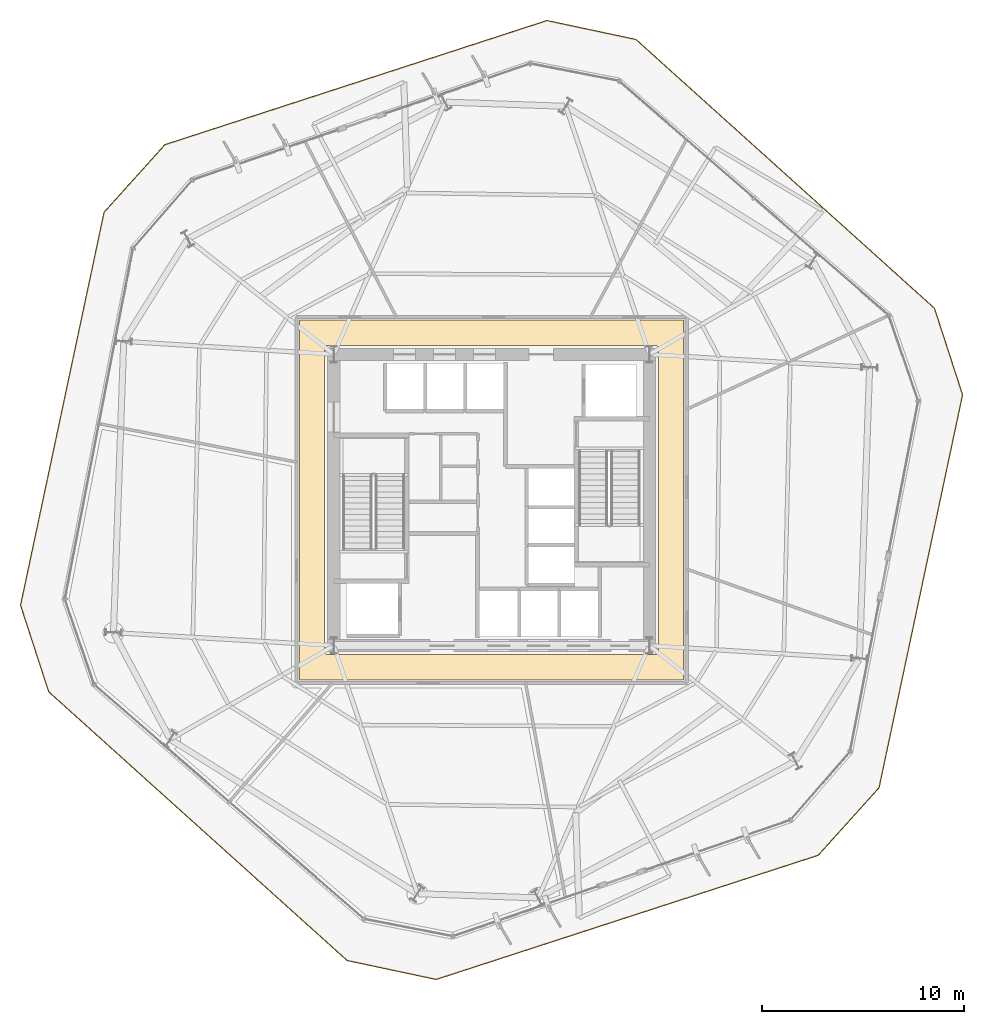
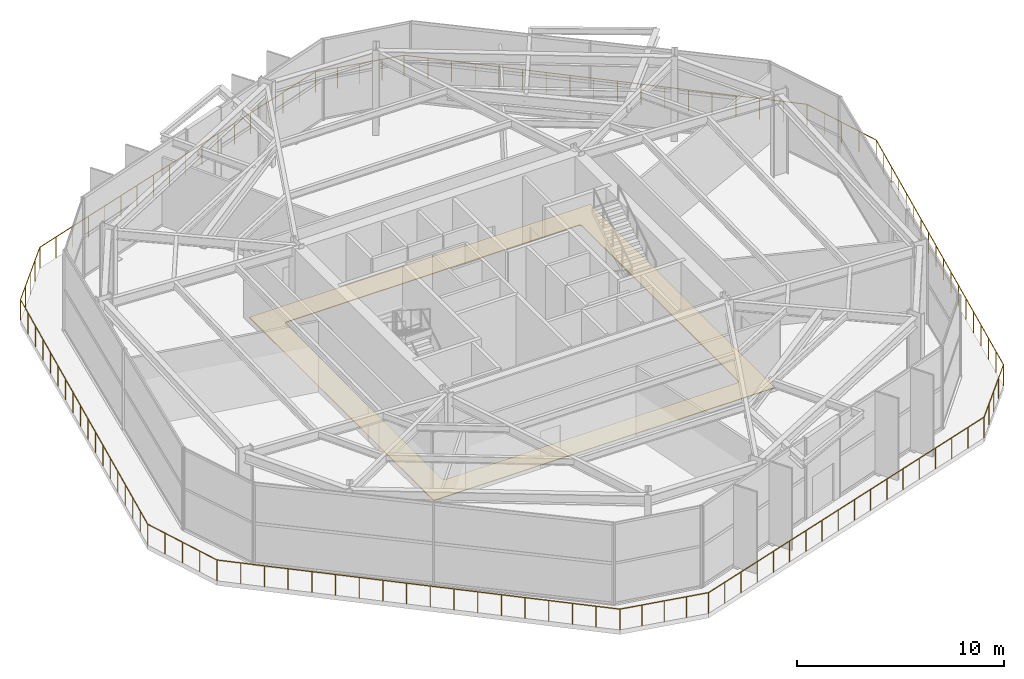
# One storey, part 14 of 16: 1 covering, 1 railing.
"""IFC4 building model written with IfcOpenShell, lengths in metres."""

import ifcopenshell
import ifcopenshell.guid

model = None  # the IFC model being written
_history = None  # IfcOwnerHistory: only IFC2X3 demands one
_inside = {}  # id of a spatial element -> (the spatial element, [elements in it])
_under = {}  # id of a project, library or spatial element -> (it, [spatial elements below it])
_declared = {}  # id of a project -> (the project, [libraries it declares])
_typed = {}  # id of a type object -> (the type object, [elements of that type])
_made_of = {}  # id of a material, layer set ... -> (it, [elements and type objects made of it])


def new_model(schema):
    """Start an empty IFC model of exactly this schema.

    Asked for "IFC4X3", IfcOpenShell would pick the latest addendum, in which some entities
    have other attributes; the version numbers below select the first issue.
    IFC2X3 requires an IfcOwnerHistory on every rooted entity: one is made here for all.
    """
    global model, _history
    if schema == "IFC4X3":
        model = ifcopenshell.file(schema_version=(4, 3, 0, 0))
    else:
        model = ifcopenshell.file(schema=schema)
    _inside.clear()
    _under.clear()
    _declared.clear()
    _typed.clear()
    _made_of.clear()
    _history = None
    if model.schema == "IFC2X3":
        org = make("IfcOrganization", Name="unknown")
        user = make(
            "IfcPersonAndOrganization",
            ThePerson=make("IfcPerson", FamilyName="unknown"),
            TheOrganization=org,
        )
        app = make(
            "IfcApplication",
            ApplicationDeveloper=org,
            Version="unknown",
            ApplicationFullName="unknown",
            ApplicationIdentifier="unknown",
        )
        _history = make(
            "IfcOwnerHistory",
            OwningUser=user,
            OwningApplication=app,
            ChangeAction="ADDED",
            CreationDate=0,
        )
    return model


def make(cls, **values):
    """One entity of the class cls with the attributes given. An attribute that is None is left unset."""
    return model.create_entity(
        cls, **{name: value for name, value in values.items() if value is not None}
    )


def rooted(cls, **values):
    """An entity with a GlobalId (a new one), such as an element, a storey or a relation."""
    return make(cls, GlobalId=ifcopenshell.guid.new(), OwnerHistory=_history, **values)


def si_unit(unit_type, name, prefix=None):
    """IfcSIUnit, for example si_unit("LENGTHUNIT", "METRE", prefix="MILLI")."""
    return make("IfcSIUnit", UnitType=unit_type, Prefix=prefix, Name=name)


def assignment(units):
    """IfcUnitAssignment: the units of a project."""
    return None if units is None else make("IfcUnitAssignment", Units=units)


def point(xyz):
    """IfcCartesianPoint."""
    return None if xyz is None else make("IfcCartesianPoint", Coordinates=xyz)


def direction(xyz):
    """IfcDirection."""
    return None if xyz is None else make("IfcDirection", DirectionRatios=xyz)


def frame(location, z_axis=None, x_axis=None):
    """IfcAxis2Placement3D, a coordinate frame: its origin and axes. An axis left out is left unset."""
    return make(
        "IfcAxis2Placement3D",
        Location=point(location),
        Axis=direction(z_axis),
        RefDirection=direction(x_axis),
    )


def frame_2d(location, x_axis=None):
    """IfcAxis2Placement2D, a coordinate frame in the plane: its origin and x axis."""
    return make(
        "IfcAxis2Placement2D", Location=point(location), RefDirection=direction(x_axis)
    )


def origin():
    """The frame at (0, 0, 0) with its axes left unset."""
    return frame((0.0, 0.0, 0.0))


def origin_2d():
    """The frame at (0, 0) in the plane with its x axis left unset."""
    return frame_2d((0.0, 0.0))


def place(relative_to, where):
    """IfcLocalPlacement: puts the frame where relative to a parent placement (None: the world)."""
    return make(
        "IfcLocalPlacement", PlacementRelTo=relative_to, RelativePlacement=where
    )


def context(
    kind, dimensions, precision=None, world=None, true_north=None, identifier=None
):
    """IfcGeometricRepresentationContext, for example the 3D "Model" context."""
    return make(
        "IfcGeometricRepresentationContext",
        ContextIdentifier=identifier,
        ContextType=kind,
        CoordinateSpaceDimension=dimensions,
        Precision=precision,
        WorldCoordinateSystem=world,
        TrueNorth=true_north,
    )


def subcontext(parent, identifier, kind, view, scale=None):
    """IfcGeometricRepresentationSubContext, for example "Body" below "Model"."""
    return make(
        "IfcGeometricRepresentationSubContext",
        ContextIdentifier=identifier,
        ContextType=kind,
        ParentContext=parent,
        TargetScale=scale,
        TargetView=view,
    )


def project(units=None, contexts=None):
    """IfcProject with its units and contexts."""
    return rooted(
        "IfcProject",
        Name="project",
        RepresentationContexts=contexts,
        UnitsInContext=assignment(units),
    )


def spatial(cls, under=None, at=None, **own):
    """A site, building, storey or space (cls), placed at a placement, below another one or the project."""
    s = rooted(cls, ObjectPlacement=at, **own)
    if under is not None:
        _under.setdefault(under.id(), (under, []))[1].append(s)
    return s


def polyline(points):
    """IfcPolyline through the points."""
    return make("IfcPolyline", Points=[point(p) for p in points])


def profile(cls, at=None, kind="AREA", **sizes):
    """A parametric profile (cls). Its sizes go by their IFC names, for example OverallWidth=200.0."""
    return make(cls, ProfileType=kind, Position=at, **sizes)


def circle(**sizes):
    """IfcCircleProfileDef."""
    return profile("IfcCircleProfileDef", **sizes)


def outline(outer, holes=None, kind="AREA"):
    """IfcArbitraryClosedProfileDef: a profile drawn as a closed curve; with holes, ...WithVoids."""
    if holes is None:
        return make("IfcArbitraryClosedProfileDef", ProfileType=kind, OuterCurve=outer)
    return make(
        "IfcArbitraryProfileDefWithVoids",
        ProfileType=kind,
        OuterCurve=outer,
        InnerCurves=holes,
    )


def extrude(swept, where, along, depth):
    """IfcExtrudedAreaSolid: the profile swept, set in the frame where, extruded along a direction by depth."""
    return make(
        "IfcExtrudedAreaSolid",
        SweptArea=swept,
        Position=where,
        ExtrudedDirection=direction(along),
        Depth=depth,
    )


def shape(context_of_items, identifier, shape_type, items):
    """IfcShapeRepresentation: the items that make up one representation, for example the "Body"."""
    return make(
        "IfcShapeRepresentation",
        ContextOfItems=context_of_items,
        RepresentationIdentifier=identifier,
        RepresentationType=shape_type,
        Items=items,
    )


def material(Name=None, Category=None):
    """IfcMaterial."""
    return make("IfcMaterial", Name=Name, Category=Category)


def layer(
    of_material, thickness, ventilated=None, Name=None, Category=None, Priority=None
):
    """IfcMaterialLayer: one layer of a wall or slab, of a material (None: an air gap)."""
    return make(
        "IfcMaterialLayer",
        Material=of_material,
        LayerThickness=thickness,
        IsVentilated=ventilated,
        Name=Name,
        Category=Category,
        Priority=Priority,
    )


def layer_set(layers, Name=None):
    """IfcMaterialLayerSet."""
    return make("IfcMaterialLayerSet", MaterialLayers=layers, LayerSetName=Name)


def made_of(thing, what):
    """Note that an element or type object is made of a material, layer set ...; save() writes the relation."""
    if what is not None:
        _made_of.setdefault(what.id(), (what, []))[1].append(thing)
    return thing


def type_object(cls, material=None, **own):
    """A type object (cls), such as IfcWallType, which elements share."""
    return made_of(rooted(cls, **own), material)


def element(
    cls,
    number,
    at=None,
    inside=None,
    cuts=None,
    type_object=None,
    material=None,
    context=None,
    identifier="Body",
    shape_type=None,
    held_by="IfcProductDefinitionShape",
    body=None,
    shapes=None,
    **own,
):
    """One element of the class cls, such as IfcWall. Its Tag is "e" and its number.

    at: its placement. inside: the storey or other place that contains it. cuts: it is an
    opening in that element (IfcRelVoidsElement). A single representation is given by context,
    identifier, shape_type and body (its items); several are given by shapes. held_by: the class
    of the entity that holds the representations. save() writes the other relations.
    """
    e = rooted(cls, Tag="e%d" % number, ObjectPlacement=at, **own)
    if body is not None:
        shapes = [shape(context, identifier, shape_type, body)]
    if shapes is not None:
        e.Representation = make(held_by, Representations=shapes)
    if inside is not None:
        _inside.setdefault(inside.id(), (inside, []))[1].append(e)
    if cuts is not None:
        rooted(
            "IfcRelVoidsElement", RelatingBuildingElement=cuts, RelatedOpeningElement=e
        )
    if type_object is not None:
        _typed.setdefault(type_object.id(), (type_object, []))[1].append(e)
    return made_of(e, material)


def aggregate(whole, parts):
    """IfcRelAggregates: a whole, such as a stair, and the parts it consists of."""
    return rooted("IfcRelAggregates", RelatingObject=whole, RelatedObjects=parts)


def save(model, path):
    """Write the relations noted so far, then the file.

    IfcRelAggregates (storeys below a building ...), IfcRelContainedInSpatialStructure (elements
    in a storey), IfcRelDefinesByType, IfcRelAssociatesMaterial and IfcRelDeclares: one each for
    every whole, place, type object, material and project.
    """
    for whole, parts in _under.values():
        aggregate(whole, parts)
    for where, things in _inside.values():
        rooted(
            "IfcRelContainedInSpatialStructure",
            RelatedElements=things,
            RelatingStructure=where,
        )
    for kind, things in _typed.values():
        rooted("IfcRelDefinesByType", RelatedObjects=things, RelatingType=kind)
    for what, things in _made_of.values():
        rooted("IfcRelAssociatesMaterial", RelatedObjects=things, RelatingMaterial=what)
    for by, libraries in _declared.values():
        rooted("IfcRelDeclares", RelatingContext=by, RelatedDefinitions=libraries)
    model.write(path)


model = new_model("IFC4")

# Units and contexts
model_context = context("Model", 3, precision=1e-05, world=origin(), true_north=direction((0.0, 1.0)))
body_context = subcontext(model_context, "Body", "Model", "MODEL_VIEW")
ifc_project = project(units=[si_unit("LENGTHUNIT", "METRE"), si_unit("AREAUNIT", "SQUARE_METRE"), si_unit("VOLUMEUNIT", "CUBIC_METRE"), si_unit("PLANEANGLEUNIT", "RADIAN"), si_unit("MASSUNIT", "GRAM", prefix="KILO")], contexts=[model_context])

# Site, building, storey
site_placement = place(None, origin())
site = spatial("IfcSite", under=ifc_project, at=site_placement, CompositionType="ELEMENT")
building_placement = place(site_placement, origin())
building = spatial("IfcBuilding", under=site, at=building_placement, Name="Kranzbogen Civic Tower", CompositionType="ELEMENT")
storey_placement = place(building_placement, frame((0.0, 0.0, 97.39990234375)))
storey = spatial("IfcBuildingStorey", under=building, at=storey_placement, Name="L23", CompositionType="ELEMENT", Elevation=97.39990234375)

# Covering
ifc_material_1 = material(Name="Honed Natural Stone Flooring", Category="masonry")
ifc_layer = layer(ifc_material_1, 0.0400390625, Name="Honed Natural Stone Flooring")
ifc_layer_set = layer_set([ifc_layer], Name="Honed Natural Stone Flooring")
covering_type = type_object("IfcCoveringType", Name="Honed Limestone Lobby Flooring 40 mm", PredefinedType="FLOORING", material=ifc_layer_set)
covering_placement = place(storey_placement, origin())
element("IfcCovering", 1, at=covering_placement, inside=storey, type_object=covering_type, Name="L23 concourse stone flooring 1", PredefinedType="FLOORING", context=body_context, shape_type="SweptSolid", body=[
    extrude(outline(polyline([(15.5, 33.89990234375), (34.5, 33.89990234375), (34.5, 16.10009765625), (15.5, 16.10009765625), (15.5, 33.89990234375)]), holes=[polyline([(33.10009765625, 32.64990234375), (33.114990234375, 32.64892578125), (33.12890625, 32.64697265625), (33.14404296875, 32.64404296875), (33.156982421875, 32.638916015625), (33.1708984375, 32.632080078125), (33.18310546875, 32.625), (33.195068359375, 32.615966796875), (33.2060546875, 32.60595703125), (33.216064453125, 32.594970703125), (33.22509765625, 32.5830078125), (33.23193359375, 32.571044921875), (33.239013671875, 32.556884765625), (33.243896484375, 32.5439453125), (33.2470703125, 32.529052734375), (33.2490234375, 32.514892578125), (33.25, 32.5), (33.25, 17.5), (33.2490234375, 17.485107421875), (33.2470703125, 17.470947265625), (33.243896484375, 17.4560546875), (33.239013671875, 17.443115234375), (33.23193359375, 17.428955078125), (33.22509765625, 17.4169921875), (33.216064453125, 17.405029296875), (33.2060546875, 17.39404296875), (33.195068359375, 17.384033203125), (33.18310546875, 17.375), (33.1708984375, 17.367919921875), (33.156982421875, 17.361083984375), (33.14404296875, 17.35595703125), (33.12890625, 17.35302734375), (33.114990234375, 17.35107421875), (33.10009765625, 17.35009765625), (16.89990234375, 17.35009765625), (16.885009765625, 17.35107421875), (16.87109375, 17.35302734375), (16.85595703125, 17.35595703125), (16.843017578125, 17.361083984375), (16.8291015625, 17.367919921875), (16.81689453125, 17.375), (16.804931640625, 17.384033203125), (16.7939453125, 17.39404296875), (16.783935546875, 17.405029296875), (16.77490234375, 17.4169921875), (16.76806640625, 17.428955078125), (16.760986328125, 17.443115234375), (16.756103515625, 17.4560546875), (16.7529296875, 17.470947265625), (16.7509765625, 17.485107421875), (16.75, 17.5), (16.75, 32.5), (16.7509765625, 32.514892578125), (16.7529296875, 32.529052734375), (16.756103515625, 32.5439453125), (16.760986328125, 32.556884765625), (16.76806640625, 32.571044921875), (16.77490234375, 32.5830078125), (16.783935546875, 32.594970703125), (16.7939453125, 32.60595703125), (16.804931640625, 32.615966796875), (16.81689453125, 32.625), (16.8291015625, 32.632080078125), (16.843017578125, 32.638916015625), (16.85595703125, 32.64404296875), (16.87109375, 32.64697265625), (16.885009765625, 32.64892578125), (16.89990234375, 32.64990234375), (33.10009765625, 32.64990234375)])]), origin(), (0.0, 0.0, 1.0), 0.0400390625),
])

# Railing
ifc_material_2 = material(Name="Pale Anodised Aluminium", Category="aluminium")
railing_type = type_object("IfcRailingType", Name="Setback and Roof Garden Safety Balustrade 1250", PredefinedType="BALUSTRADE", material=ifc_material_2)
railing_placement = place(storey_placement, frame((46.89990234375, 34.48095703125, 0.0)))
element("IfcRailing", 2, at=railing_placement, inside=storey, type_object=railing_type, Name="L23 setback terrace perimeter balustrade", PredefinedType="BALUSTRADE", context=body_context, shape_type="SweptSolid", body=[
    extrude(circle(Radius=0.02392578125, at=origin_2d()), frame((0.0, 0.0, 1.22607421875), z_axis=(-0.743143158667, 0.669132457535, 0.0), x_axis=(-0.669132457535, -0.743143158667, 0.0)), (0.0, 0.0, 1.0), 19.861572265625),
    extrude(circle(Radius=0.02392578125, at=origin_2d()), frame((-14.760009765625, 13.2900390625, 1.22607421875), z_axis=(-0.978120496628, 0.208039164766, 0.0), x_axis=(-0.208039164766, -0.978120496628, 0.0)), (0.0, 0.0, 1.0), 4.499267578125),
    extrude(circle(Radius=0.02392578125, at=origin_2d()), frame((-19.160888671875, 14.22607421875, 1.22607421875), z_axis=(-0.951048250163, -0.309042433757, 0.0), x_axis=(0.309042433757, -0.951048250163, 0.0)), (0.0, 0.0, 1.0), 19.861083984375),
    extrude(circle(Radius=0.02392578125, at=origin_2d()), frame((-38.0498046875, 8.088134765625, 1.22607421875), z_axis=(-0.669135574447, -0.743140352161, 0.0), x_axis=(0.743140352161, -0.669135574447, 0.0)), (0.0, 0.0, 1.0), 4.499755859375),
    extrude(circle(Radius=0.02392578125, at=origin_2d()), frame((-41.060791015625, 4.744140625, 1.22607421875), z_axis=(-0.207902713768, -0.978149508821, 0.0), x_axis=(0.978149508821, -0.207902713768, 0.0)), (0.0, 0.0, 1.0), 19.861083984375),
    extrude(circle(Radius=0.02392578125, at=origin_2d()), frame((-45.18994140625, -14.682861328125, 1.22607421875), z_axis=(0.308974415097, -0.951070350088, 0.0), x_axis=(0.951070350088, 0.308974415097, 0.0)), (0.0, 0.0, 1.0), 4.499267578125),
    extrude(circle(Radius=0.02392578125, at=origin_2d()), frame((-43.7998046875, -18.9619140625, 1.22607421875), z_axis=(0.743143158667, -0.669132457535, 0.0), x_axis=(0.669132457535, 0.743143158667, 0.0)), (0.0, 0.0, 1.0), 19.861572265625),
    extrude(circle(Radius=0.02392578125, at=origin_2d()), frame((-29.039794921875, -32.251953125, 1.22607421875), z_axis=(0.978120496628, -0.208039164766, 0.0), x_axis=(0.208039164766, 0.978120496628, 0.0)), (0.0, 0.0, 1.0), 4.499267578125),
    extrude(circle(Radius=0.02392578125, at=origin_2d()), frame((-24.638916015625, -33.18798828125, 1.22607421875), z_axis=(0.951048250163, 0.309042433757, 0.0), x_axis=(-0.309042433757, 0.951048250163, 0.0)), (0.0, 0.0, 1.0), 19.861083984375),
    extrude(circle(Radius=0.02392578125, at=origin_2d()), frame((-5.75, -27.050048828125, 1.22607421875), z_axis=(0.669135574447, 0.743140352161, 0.0), x_axis=(-0.743140352161, 0.669135574447, 0.0)), (0.0, 0.0, 1.0), 4.499755859375),
    extrude(circle(Radius=0.02392578125, at=origin_2d()), frame((-2.739013671875, -23.7060546875, 1.22607421875), z_axis=(0.207902713768, 0.978149508821, 0.0), x_axis=(-0.978149508821, 0.207902713768, 0.0)), (0.0, 0.0, 1.0), 19.861083984375),
    extrude(circle(Radius=0.02392578125, at=origin_2d()), frame((1.39013671875, -4.279052734375, 1.22607421875), z_axis=(-0.308974415097, 0.951070350088, 0.0), x_axis=(-0.951070350088, -0.308974415097, 0.0)), (0.0, 0.0, 1.0), 4.499267578125),
    extrude(circle(Radius=0.02099609375, at=origin_2d()), origin(), (0.0, 0.0, 1.0), 1.201904296875),
    extrude(circle(Radius=0.02099609375, at=origin_2d()), frame((-0.8681640625, 0.78173828125, 0.0)), (0.0, 0.0, 1.0), 1.201904296875),
    extrude(circle(Radius=0.02099609375, at=origin_2d()), frame((-1.736572265625, 1.5634765625, 0.0)), (0.0, 0.0, 1.0), 1.201904296875),
    extrude(circle(Radius=0.02099609375, at=origin_2d()), frame((-2.604736328125, 2.34521484375, 0.0)), (0.0, 0.0, 1.0), 1.201904296875),
    extrude(circle(Radius=0.02099609375, at=origin_2d()), frame((-3.472900390625, 3.126953125, 0.0)), (0.0, 0.0, 1.0), 1.201904296875),
    extrude(circle(Radius=0.02099609375, at=origin_2d()), frame((-4.341064453125, 3.908935546875, 0.0)), (0.0, 0.0, 1.0), 1.201904296875),
    extrude(circle(Radius=0.02099609375, at=origin_2d()), frame((-5.20947265625, 4.690673828125, 0.0)), (0.0, 0.0, 1.0), 1.201904296875),
    extrude(circle(Radius=0.02099609375, at=origin_2d()), frame((-6.07763671875, 5.472412109375, 0.0)), (0.0, 0.0, 1.0), 1.201904296875),
    extrude(circle(Radius=0.02099609375, at=origin_2d()), frame((-6.94580078125, 6.254150390625, 0.0)), (0.0, 0.0, 1.0), 1.201904296875),
    extrude(circle(Radius=0.02099609375, at=origin_2d()), frame((-7.814208984375, 7.035888671875, 0.0)), (0.0, 0.0, 1.0), 1.201904296875),
    extrude(circle(Radius=0.02099609375, at=origin_2d()), frame((-8.682373046875, 7.817626953125, 0.0)), (0.0, 0.0, 1.0), 1.201904296875),
    extrude(circle(Radius=0.02099609375, at=origin_2d()), frame((-9.550537109375, 8.599365234375, 0.0)), (0.0, 0.0, 1.0), 1.201904296875),
    extrude(circle(Radius=0.02099609375, at=origin_2d()), frame((-10.4189453125, 9.381103515625, 0.0)), (0.0, 0.0, 1.0), 1.201904296875),
    extrude(circle(Radius=0.02099609375, at=origin_2d()), frame((-11.287109375, 10.1630859375, 0.0)), (0.0, 0.0, 1.0), 1.201904296875),
    extrude(circle(Radius=0.02099609375, at=origin_2d()), frame((-12.1552734375, 10.94482421875, 0.0)), (0.0, 0.0, 1.0), 1.201904296875),
    extrude(circle(Radius=0.02099609375, at=origin_2d()), frame((-13.0234375, 11.7265625, 0.0)), (0.0, 0.0, 1.0), 1.201904296875),
    extrude(circle(Radius=0.02099609375, at=origin_2d()), frame((-13.891845703125, 12.50830078125, 0.0)), (0.0, 0.0, 1.0), 1.201904296875),
    extrude(circle(Radius=0.02099609375, at=origin_2d()), frame((-14.760009765625, 13.2900390625, 0.0)), (0.0, 0.0, 1.0), 1.201904296875),
    extrude(circle(Radius=0.02099609375, at=origin_2d()), frame((-15.8603515625, 13.52392578125, 0.0)), (0.0, 0.0, 1.0), 1.201904296875),
    extrude(circle(Radius=0.02099609375, at=origin_2d()), frame((-16.96044921875, 13.758056640625, 0.0)), (0.0, 0.0, 1.0), 1.201904296875),
    extrude(circle(Radius=0.02099609375, at=origin_2d()), frame((-18.060546875, 13.9921875, 0.0)), (0.0, 0.0, 1.0), 1.201904296875),
    extrude(circle(Radius=0.02099609375, at=origin_2d()), frame((-19.160888671875, 14.22607421875, 0.0)), (0.0, 0.0, 1.0), 1.201904296875),
    extrude(circle(Radius=0.02099609375, at=origin_2d()), frame((-20.27197265625, 13.864990234375, 0.0)), (0.0, 0.0, 1.0), 1.201904296875),
    extrude(circle(Radius=0.02099609375, at=origin_2d()), frame((-21.383056640625, 13.50390625, 0.0)), (0.0, 0.0, 1.0), 1.201904296875),
    extrude(circle(Radius=0.02099609375, at=origin_2d()), frame((-22.494140625, 13.142822265625, 0.0)), (0.0, 0.0, 1.0), 1.201904296875),
    extrude(circle(Radius=0.02099609375, at=origin_2d()), frame((-23.605224609375, 12.78173828125, 0.0)), (0.0, 0.0, 1.0), 1.201904296875),
    extrude(circle(Radius=0.02099609375, at=origin_2d()), frame((-24.716552734375, 12.4208984375, 0.0)), (0.0, 0.0, 1.0), 1.201904296875),
    extrude(circle(Radius=0.02099609375, at=origin_2d()), frame((-25.82763671875, 12.059814453125, 0.0)), (0.0, 0.0, 1.0), 1.201904296875),
    extrude(circle(Radius=0.02099609375, at=origin_2d()), frame((-26.938720703125, 11.69873046875, 0.0)), (0.0, 0.0, 1.0), 1.201904296875),
    extrude(circle(Radius=0.02099609375, at=origin_2d()), frame((-28.0498046875, 11.337646484375, 0.0)), (0.0, 0.0, 1.0), 1.201904296875),
    extrude(circle(Radius=0.02099609375, at=origin_2d()), frame((-29.160888671875, 10.9765625, 0.0)), (0.0, 0.0, 1.0), 1.201904296875),
    extrude(circle(Radius=0.02099609375, at=origin_2d()), frame((-30.27197265625, 10.615478515625, 0.0)), (0.0, 0.0, 1.0), 1.201904296875),
    extrude(circle(Radius=0.02099609375, at=origin_2d()), frame((-31.383056640625, 10.25439453125, 0.0)), (0.0, 0.0, 1.0), 1.201904296875),
    extrude(circle(Radius=0.02099609375, at=origin_2d()), frame((-32.494140625, 9.893310546875, 0.0)), (0.0, 0.0, 1.0), 1.201904296875),
    extrude(circle(Radius=0.02099609375, at=origin_2d()), frame((-33.60546875, 9.532470703125, 0.0)), (0.0, 0.0, 1.0), 1.201904296875),
    extrude(circle(Radius=0.02099609375, at=origin_2d()), frame((-34.716552734375, 9.17138671875, 0.0)), (0.0, 0.0, 1.0), 1.201904296875),
    extrude(circle(Radius=0.02099609375, at=origin_2d()), frame((-35.82763671875, 8.810302734375, 0.0)), (0.0, 0.0, 1.0), 1.201904296875),
    extrude(circle(Radius=0.02099609375, at=origin_2d()), frame((-36.938720703125, 8.44921875, 0.0)), (0.0, 0.0, 1.0), 1.201904296875),
    extrude(circle(Radius=0.02099609375, at=origin_2d()), frame((-38.0498046875, 8.088134765625, 0.0)), (0.0, 0.0, 1.0), 1.201904296875),
    extrude(circle(Radius=0.02099609375, at=origin_2d()), frame((-38.802490234375, 7.252197265625, 0.0)), (0.0, 0.0, 1.0), 1.201904296875),
    extrude(circle(Radius=0.02099609375, at=origin_2d()), frame((-39.55517578125, 6.416015625, 0.0)), (0.0, 0.0, 1.0), 1.201904296875),
    extrude(circle(Radius=0.02099609375, at=origin_2d()), frame((-40.30810546875, 5.580078125, 0.0)), (0.0, 0.0, 1.0), 1.201904296875),
    extrude(circle(Radius=0.02099609375, at=origin_2d()), frame((-41.060791015625, 4.744140625, 0.0)), (0.0, 0.0, 1.0), 1.201904296875),
    extrude(circle(Radius=0.02099609375, at=origin_2d()), frame((-41.3037109375, 3.601318359375, 0.0)), (0.0, 0.0, 1.0), 1.201904296875),
    extrude(circle(Radius=0.02099609375, at=origin_2d()), frame((-41.546630859375, 2.45849609375, 0.0)), (0.0, 0.0, 1.0), 1.201904296875),
    extrude(circle(Radius=0.02099609375, at=origin_2d()), frame((-41.78955078125, 1.31591796875, 0.0)), (0.0, 0.0, 1.0), 1.201904296875),
    extrude(circle(Radius=0.02099609375, at=origin_2d()), frame((-42.032470703125, 0.173095703125, 0.0)), (0.0, 0.0, 1.0), 1.201904296875),
    extrude(circle(Radius=0.02099609375, at=origin_2d()), frame((-42.275146484375, -0.9697265625, 0.0)), (0.0, 0.0, 1.0), 1.201904296875),
    extrude(circle(Radius=0.02099609375, at=origin_2d()), frame((-42.51806640625, -2.112548828125, 0.0)), (0.0, 0.0, 1.0), 1.201904296875),
    extrude(circle(Radius=0.02099609375, at=origin_2d()), frame((-42.760986328125, -3.255126953125, 0.0)), (0.0, 0.0, 1.0), 1.201904296875),
    extrude(circle(Radius=0.02099609375, at=origin_2d()), frame((-43.00390625, -4.39794921875, 0.0)), (0.0, 0.0, 1.0), 1.201904296875),
    extrude(circle(Radius=0.02099609375, at=origin_2d()), frame((-43.246826171875, -5.540771484375, 0.0)), (0.0, 0.0, 1.0), 1.201904296875),
    extrude(circle(Radius=0.02099609375, at=origin_2d()), frame((-43.48974609375, -6.68359375, 0.0)), (0.0, 0.0, 1.0), 1.201904296875),
    extrude(circle(Radius=0.02099609375, at=origin_2d()), frame((-43.732666015625, -7.826171875, 0.0)), (0.0, 0.0, 1.0), 1.201904296875),
    extrude(circle(Radius=0.02099609375, at=origin_2d()), frame((-43.9755859375, -8.968994140625, 0.0)), (0.0, 0.0, 1.0), 1.201904296875),
    extrude(circle(Radius=0.02099609375, at=origin_2d()), frame((-44.21826171875, -10.11181640625, 0.0)), (0.0, 0.0, 1.0), 1.201904296875),
    extrude(circle(Radius=0.02099609375, at=origin_2d()), frame((-44.461181640625, -11.254638671875, 0.0)), (0.0, 0.0, 1.0), 1.201904296875),
    extrude(circle(Radius=0.02099609375, at=origin_2d()), frame((-44.7041015625, -12.397216796875, 0.0)), (0.0, 0.0, 1.0), 1.201904296875),
    extrude(circle(Radius=0.02099609375, at=origin_2d()), frame((-44.947021484375, -13.5400390625, 0.0)), (0.0, 0.0, 1.0), 1.201904296875),
    extrude(circle(Radius=0.02099609375, at=origin_2d()), frame((-45.18994140625, -14.682861328125, 0.0)), (0.0, 0.0, 1.0), 1.201904296875),
    extrude(circle(Radius=0.02099609375, at=origin_2d()), frame((-44.84228515625, -15.752685546875, 0.0)), (0.0, 0.0, 1.0), 1.201904296875),
    extrude(circle(Radius=0.02099609375, at=origin_2d()), frame((-44.494873046875, -16.822265625, 0.0)), (0.0, 0.0, 1.0), 1.201904296875),
    extrude(circle(Radius=0.02099609375, at=origin_2d()), frame((-44.1474609375, -17.89208984375, 0.0)), (0.0, 0.0, 1.0), 1.201904296875),
    extrude(circle(Radius=0.02099609375, at=origin_2d()), frame((-43.7998046875, -18.9619140625, 0.0)), (0.0, 0.0, 1.0), 1.201904296875),
    extrude(circle(Radius=0.02099609375, at=origin_2d()), frame((-42.931640625, -19.74365234375, 0.0)), (0.0, 0.0, 1.0), 1.201904296875),
    extrude(circle(Radius=0.02099609375, at=origin_2d()), frame((-42.063232421875, -20.525390625, 0.0)), (0.0, 0.0, 1.0), 1.201904296875),
    extrude(circle(Radius=0.02099609375, at=origin_2d()), frame((-41.195068359375, -21.30712890625, 0.0)), (0.0, 0.0, 1.0), 1.201904296875),
    extrude(circle(Radius=0.02099609375, at=origin_2d()), frame((-40.326904296875, -22.0888671875, 0.0)), (0.0, 0.0, 1.0), 1.201904296875),
    extrude(circle(Radius=0.02099609375, at=origin_2d()), frame((-39.458740234375, -22.870849609375, 0.0)), (0.0, 0.0, 1.0), 1.201904296875),
    extrude(circle(Radius=0.02099609375, at=origin_2d()), frame((-38.59033203125, -23.652587890625, 0.0)), (0.0, 0.0, 1.0), 1.201904296875),
    extrude(circle(Radius=0.02099609375, at=origin_2d()), frame((-37.72216796875, -24.434326171875, 0.0)), (0.0, 0.0, 1.0), 1.201904296875),
    extrude(circle(Radius=0.02099609375, at=origin_2d()), frame((-36.85400390625, -25.216064453125, 0.0)), (0.0, 0.0, 1.0), 1.201904296875),
    extrude(circle(Radius=0.02099609375, at=origin_2d()), frame((-35.985595703125, -25.997802734375, 0.0)), (0.0, 0.0, 1.0), 1.201904296875),
    extrude(circle(Radius=0.02099609375, at=origin_2d()), frame((-35.117431640625, -26.779541015625, 0.0)), (0.0, 0.0, 1.0), 1.201904296875),
    extrude(circle(Radius=0.02099609375, at=origin_2d()), frame((-34.249267578125, -27.561279296875, 0.0)), (0.0, 0.0, 1.0), 1.201904296875),
    extrude(circle(Radius=0.02099609375, at=origin_2d()), frame((-33.380859375, -28.343017578125, 0.0)), (0.0, 0.0, 1.0), 1.201904296875),
    extrude(circle(Radius=0.02099609375, at=origin_2d()), frame((-32.5126953125, -29.125, 0.0)), (0.0, 0.0, 1.0), 1.201904296875),
    extrude(circle(Radius=0.02099609375, at=origin_2d()), frame((-31.64453125, -29.90673828125, 0.0)), (0.0, 0.0, 1.0), 1.201904296875),
    extrude(circle(Radius=0.02099609375, at=origin_2d()), frame((-30.7763671875, -30.6884765625, 0.0)), (0.0, 0.0, 1.0), 1.201904296875),
    extrude(circle(Radius=0.02099609375, at=origin_2d()), frame((-29.907958984375, -31.47021484375, 0.0)), (0.0, 0.0, 1.0), 1.201904296875),
    extrude(circle(Radius=0.02099609375, at=origin_2d()), frame((-29.039794921875, -32.251953125, 0.0)), (0.0, 0.0, 1.0), 1.201904296875),
    extrude(circle(Radius=0.02099609375, at=origin_2d()), frame((-27.939453125, -32.48583984375, 0.0)), (0.0, 0.0, 1.0), 1.201904296875),
    extrude(circle(Radius=0.02099609375, at=origin_2d()), frame((-26.83935546875, -32.719970703125, 0.0)), (0.0, 0.0, 1.0), 1.201904296875),
    extrude(circle(Radius=0.02099609375, at=origin_2d()), frame((-25.7392578125, -32.9541015625, 0.0)), (0.0, 0.0, 1.0), 1.201904296875),
    extrude(circle(Radius=0.02099609375, at=origin_2d()), frame((-24.638916015625, -33.18798828125, 0.0)), (0.0, 0.0, 1.0), 1.201904296875),
    extrude(circle(Radius=0.02099609375, at=origin_2d()), frame((-23.52783203125, -32.826904296875, 0.0)), (0.0, 0.0, 1.0), 1.201904296875),
    extrude(circle(Radius=0.02099609375, at=origin_2d()), frame((-22.416748046875, -32.4658203125, 0.0)), (0.0, 0.0, 1.0), 1.201904296875),
    extrude(circle(Radius=0.02099609375, at=origin_2d()), frame((-21.3056640625, -32.104736328125, 0.0)), (0.0, 0.0, 1.0), 1.201904296875),
    extrude(circle(Radius=0.02099609375, at=origin_2d()), frame((-20.194580078125, -31.74365234375, 0.0)), (0.0, 0.0, 1.0), 1.201904296875),
    extrude(circle(Radius=0.02099609375, at=origin_2d()), frame((-19.083251953125, -31.3828125, 0.0)), (0.0, 0.0, 1.0), 1.201904296875),
    extrude(circle(Radius=0.02099609375, at=origin_2d()), frame((-17.97216796875, -31.021728515625, 0.0)), (0.0, 0.0, 1.0), 1.201904296875),
    extrude(circle(Radius=0.02099609375, at=origin_2d()), frame((-16.861083984375, -30.66064453125, 0.0)), (0.0, 0.0, 1.0), 1.201904296875),
    extrude(circle(Radius=0.02099609375, at=origin_2d()), frame((-15.75, -30.299560546875, 0.0)), (0.0, 0.0, 1.0), 1.201904296875),
    extrude(circle(Radius=0.02099609375, at=origin_2d()), frame((-14.638916015625, -29.9384765625, 0.0)), (0.0, 0.0, 1.0), 1.201904296875),
    extrude(circle(Radius=0.02099609375, at=origin_2d()), frame((-13.52783203125, -29.577392578125, 0.0)), (0.0, 0.0, 1.0), 1.201904296875),
    extrude(circle(Radius=0.02099609375, at=origin_2d()), frame((-12.416748046875, -29.21630859375, 0.0)), (0.0, 0.0, 1.0), 1.201904296875),
    extrude(circle(Radius=0.02099609375, at=origin_2d()), frame((-11.3056640625, -28.855224609375, 0.0)), (0.0, 0.0, 1.0), 1.201904296875),
    extrude(circle(Radius=0.02099609375, at=origin_2d()), frame((-10.1943359375, -28.494384765625, 0.0)), (0.0, 0.0, 1.0), 1.201904296875),
    extrude(circle(Radius=0.02099609375, at=origin_2d()), frame((-9.083251953125, -28.13330078125, 0.0)), (0.0, 0.0, 1.0), 1.201904296875),
    extrude(circle(Radius=0.02099609375, at=origin_2d()), frame((-7.97216796875, -27.772216796875, 0.0)), (0.0, 0.0, 1.0), 1.201904296875),
    extrude(circle(Radius=0.02099609375, at=origin_2d()), frame((-6.861083984375, -27.4111328125, 0.0)), (0.0, 0.0, 1.0), 1.201904296875),
    extrude(circle(Radius=0.02099609375, at=origin_2d()), frame((-5.75, -27.050048828125, 0.0)), (0.0, 0.0, 1.0), 1.201904296875),
    extrude(circle(Radius=0.02099609375, at=origin_2d()), frame((-4.997314453125, -26.214111328125, 0.0)), (0.0, 0.0, 1.0), 1.201904296875),
    extrude(circle(Radius=0.02099609375, at=origin_2d()), frame((-4.24462890625, -25.3779296875, 0.0)), (0.0, 0.0, 1.0), 1.201904296875),
    extrude(circle(Radius=0.02099609375, at=origin_2d()), frame((-3.49169921875, -24.5419921875, 0.0)), (0.0, 0.0, 1.0), 1.201904296875),
    extrude(circle(Radius=0.02099609375, at=origin_2d()), frame((-2.739013671875, -23.7060546875, 0.0)), (0.0, 0.0, 1.0), 1.201904296875),
    extrude(circle(Radius=0.02099609375, at=origin_2d()), frame((-2.49609375, -22.563232421875, 0.0)), (0.0, 0.0, 1.0), 1.201904296875),
    extrude(circle(Radius=0.02099609375, at=origin_2d()), frame((-2.253173828125, -21.42041015625, 0.0)), (0.0, 0.0, 1.0), 1.201904296875),
    extrude(circle(Radius=0.02099609375, at=origin_2d()), frame((-2.01025390625, -20.27783203125, 0.0)), (0.0, 0.0, 1.0), 1.201904296875),
    extrude(circle(Radius=0.02099609375, at=origin_2d()), frame((-1.767333984375, -19.135009765625, 0.0)), (0.0, 0.0, 1.0), 1.201904296875),
    extrude(circle(Radius=0.02099609375, at=origin_2d()), frame((-1.524658203125, -17.9921875, 0.0)), (0.0, 0.0, 1.0), 1.201904296875),
    extrude(circle(Radius=0.02099609375, at=origin_2d()), frame((-1.28173828125, -16.849365234375, 0.0)), (0.0, 0.0, 1.0), 1.201904296875),
    extrude(circle(Radius=0.02099609375, at=origin_2d()), frame((-1.038818359375, -15.706787109375, 0.0)), (0.0, 0.0, 1.0), 1.201904296875),
    extrude(circle(Radius=0.02099609375, at=origin_2d()), frame((-0.7958984375, -14.56396484375, 0.0)), (0.0, 0.0, 1.0), 1.201904296875),
    extrude(circle(Radius=0.02099609375, at=origin_2d()), frame((-0.552978515625, -13.421142578125, 0.0)), (0.0, 0.0, 1.0), 1.201904296875),
    extrude(circle(Radius=0.02099609375, at=origin_2d()), frame((-0.31005859375, -12.2783203125, 0.0)), (0.0, 0.0, 1.0), 1.201904296875),
    extrude(circle(Radius=0.02099609375, at=origin_2d()), frame((-0.067138671875, -11.1357421875, 0.0)), (0.0, 0.0, 1.0), 1.201904296875),
    extrude(circle(Radius=0.02099609375, at=origin_2d()), frame((0.17578125, -9.992919921875, 0.0)), (0.0, 0.0, 1.0), 1.201904296875),
    extrude(circle(Radius=0.02099609375, at=origin_2d()), frame((0.41845703125, -8.85009765625, 0.0)), (0.0, 0.0, 1.0), 1.201904296875),
    extrude(circle(Radius=0.02099609375, at=origin_2d()), frame((0.661376953125, -7.707275390625, 0.0)), (0.0, 0.0, 1.0), 1.201904296875),
    extrude(circle(Radius=0.02099609375, at=origin_2d()), frame((0.904296875, -6.564697265625, 0.0)), (0.0, 0.0, 1.0), 1.201904296875),
    extrude(circle(Radius=0.02099609375, at=origin_2d()), frame((1.147216796875, -5.421875, 0.0)), (0.0, 0.0, 1.0), 1.201904296875),
    extrude(circle(Radius=0.02099609375, at=origin_2d()), frame((1.39013671875, -4.279052734375, 0.0)), (0.0, 0.0, 1.0), 1.201904296875),
    extrude(circle(Radius=0.02099609375, at=origin_2d()), frame((1.04248046875, -3.209228515625, 0.0)), (0.0, 0.0, 1.0), 1.201904296875),
    extrude(circle(Radius=0.02099609375, at=origin_2d()), frame((0.695068359375, -2.1396484375, 0.0)), (0.0, 0.0, 1.0), 1.201904296875),
    extrude(circle(Radius=0.02099609375, at=origin_2d()), frame((0.34765625, -1.06982421875, 0.0)), (0.0, 0.0, 1.0), 1.201904296875),
])

save(model, "model.ifc")
